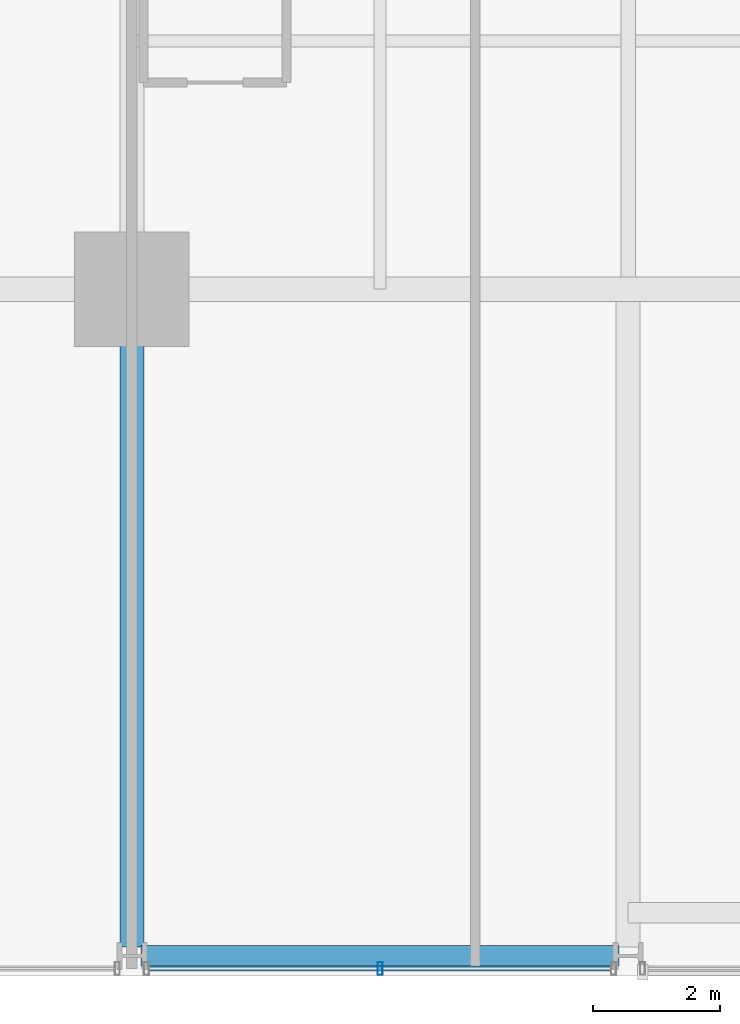
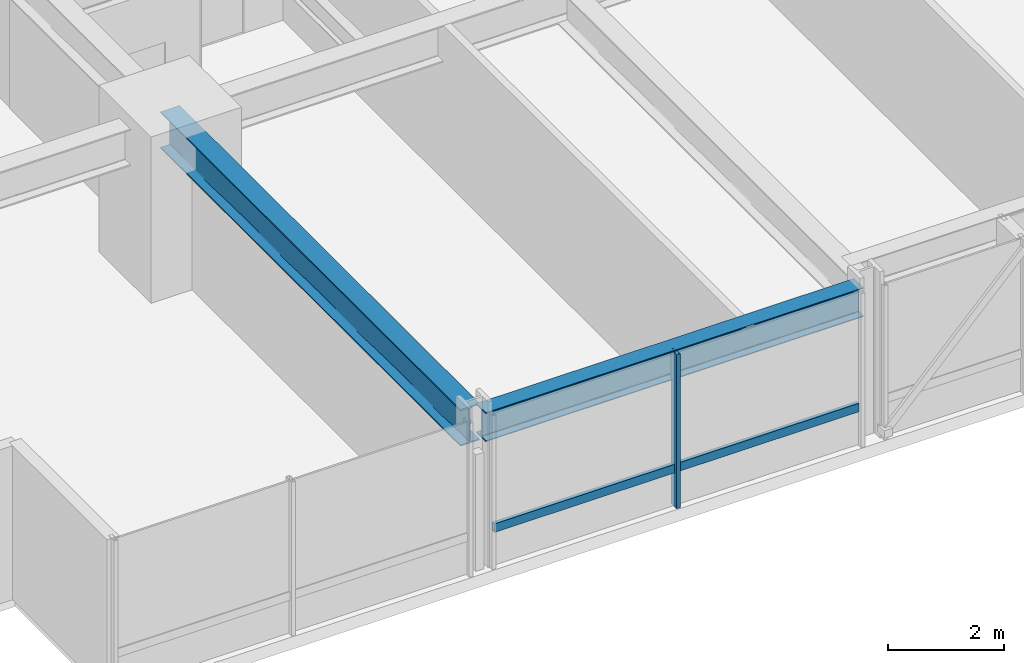
# One storey, part 3 of 38: 2 beams, 2 members, 1 element without a shape of its own.
"""IFC4 building model written with IfcOpenShell, lengths in metres."""

from ifc_helpers import new_model, si_unit, direction, frame, origin, origin_2d, place, context, subcontext, project, spatial, hollow_rectangle, i_section, extrude, material, layer, layer_set, material_profile, profile_set, type_object, element, aggregate, save


model = new_model("IFC4")

# Units and contexts
model_context = context("Model", 3, precision=1e-05, world=origin(), true_north=direction((0.0, 1.0)))
body_context = subcontext(model_context, "Body", "Model", "MODEL_VIEW")
ifc_project = project(units=[si_unit("LENGTHUNIT", "METRE"), si_unit("AREAUNIT", "SQUARE_METRE"), si_unit("VOLUMEUNIT", "CUBIC_METRE"), si_unit("PLANEANGLEUNIT", "RADIAN"), si_unit("MASSUNIT", "GRAM", prefix="KILO")], contexts=[model_context])

# Site, building, storey
site_placement = place(None, origin())
site = spatial("IfcSite", under=ifc_project, at=site_placement, CompositionType="ELEMENT")
building_placement = place(site_placement, origin())
building = spatial("IfcBuilding", under=site, at=building_placement, Name="Drelvath Grand Hotel", CompositionType="ELEMENT")
storey_placement = place(building_placement, frame((0.0, 0.0, 61.199951171875)))
storey = spatial("IfcBuildingStorey", under=building, at=storey_placement, Name="L14", CompositionType="ELEMENT", Elevation=61.199951171875)

# Curtain wall, members
ifc_material_1 = material(Name="Warm Bronze Anodised Aluminium Frame", Category="aluminium")
ifc_layer = layer(ifc_material_1, 0.199951171875)
ifc_layer_set = layer_set([ifc_layer], Name="Warm Bronze Anodised Aluminium Frame")
curtain_wall_type = type_object("IfcCurtainWallType", Name="Stick Curtain Wall CW-02 Warm Bronze Low-Rise", PredefinedType="NOTDEFINED", material=ifc_layer_set)
curtain_wall_placement = place(storey_placement, origin())
curtain_wall = element("IfcCurtainWall", 1, at=curtain_wall_placement, inside=storey, type_object=curtain_wall_type, Name="L14 CW-02 Curtain Wall CW02-L14-SW2", PredefinedType="NOTDEFINED")
ifc_material_profile_1 = material_profile(ifc_material_1, hollow_rectangle(XDim=0.074951171875, YDim=0.179931640625, WallThickness=0.0048828125, at=origin_2d()), Name="HSS180X75X5")
ifc_profile_set_1 = profile_set([ifc_material_profile_1], Name="Warm Bronze Anodised Aluminium Frame")
member_type_1 = type_object("IfcMemberType", Name="Curtain Wall Horizontal Transom CW-02 HSS180X75X5", PredefinedType="USERDEFINED", material=ifc_profile_set_1)
member_1_placement = place(storey_placement, frame((-8.669189453125, 0.1201171875, 0.81005859375), z_axis=(-1.0, 0.0, 0.0), x_axis=(0.0, -1.0, 0.0)))
member_1 = element("IfcMember", 2, at=member_1_placement, type_object=member_type_1, Name="CW02-L14-SW2 Sill Transom", ObjectType="TRANSOM", PredefinedType="USERDEFINED", context=body_context, shape_type="SweptSolid", body=[
    extrude(hollow_rectangle(XDim=0.074951171875, YDim=0.179931640625, WallThickness=0.0048828125, at=origin_2d()), origin(), (0.0, 0.0, 1.0), 7.26171875),
])
ifc_material_profile_2 = material_profile(ifc_material_1, hollow_rectangle(XDim=0.080078125, YDim=0.199951171875, WallThickness=0.0048828125, at=origin_2d()), Name="HSS200X80X5")
ifc_profile_set_2 = profile_set([ifc_material_profile_2], Name="Warm Bronze Anodised Aluminium Frame")
member_type_2 = type_object("IfcMemberType", Name="Curtain Wall Vertical Mullion CW-02 HSS200X80X5", PredefinedType="MULLION", material=ifc_profile_set_2)
member_2_placement = place(storey_placement, frame((-12.300048828125, 0.1201171875, 0.0), z_axis=(0.0, 0.0, 1.0), x_axis=(1.0, 0.0, 0.0)))
member_2 = element("IfcMember", 3, at=member_2_placement, type_object=member_type_2, Name="CW02-L14-SW2 Mullion 2", PredefinedType="MULLION", context=body_context, shape_type="SweptSolid", body=[
    extrude(hollow_rectangle(XDim=0.080078125, YDim=0.199951171875, WallThickness=0.0048828125, at=origin_2d()), origin(), (0.0, 0.0, 1.0), 3.239990234375),
])
aggregate(curtain_wall, [member_2, member_1])

# Beams
ifc_material_2 = material(Name="Steel ASTM A992 Gr 50", Category="steel")
ifc_material_profile_3 = material_profile(ifc_material_2, i_section(OverallWidth=0.323974609375, OverallDepth=0.611083984375, WebThickness=0.0126953125, FlangeThickness=0.01904296875, FilletRadius=0.02197265625, at=origin_2d()), Name="W24X104")
ifc_profile_set_3 = profile_set([ifc_material_profile_3], Name="Steel ASTM A992 Gr 50")
beam_type_1 = type_object("IfcBeamType", Name="Perimeter Spandrel Beam W24X104", PredefinedType="SPANDREL", material=ifc_profile_set_3)
beam_1_placement = place(storey_placement, frame((-16.06005859375, 0.320068359375, 2.9345703125), z_axis=(1.0, 0.0, 0.0), x_axis=(0.0, 1.0, 0.0)))
element("IfcBeam", 4, at=beam_1_placement, inside=storey, type_object=beam_type_1, Name="L14 Spandrel South W", PredefinedType="SPANDREL", context=body_context, shape_type="SweptSolid", body=[
    extrude(i_section(OverallWidth=0.323974609375, OverallDepth=0.611083984375, WebThickness=0.0126953125, FlangeThickness=0.01904296875, FilletRadius=0.02197265625, at=origin_2d()), origin(), (0.0, 0.0, 1.0), 7.52001953125),
])
ifc_material_profile_4 = material_profile(ifc_material_2, i_section(OverallWidth=0.380615234375, OverallDepth=0.773193359375, WebThickness=0.0166015625, FlangeThickness=0.027099609375, FilletRadius=0.02490234375, at=origin_2d()), Name="W30X173")
ifc_profile_set_4 = profile_set([ifc_material_profile_4], Name="Steel ASTM A992 Gr 50")
beam_type_2 = type_object("IfcBeamType", Name="Primary Floor Girder W30X173", PredefinedType="BEAM", material=ifc_profile_set_4)
beam_2_placement = place(storey_placement, frame((-16.199951171875, 0.4599609375, 2.853515625), z_axis=(0.0, 1.0, 0.0), x_axis=(-1.0, 0.0, 0.0)))
element("IfcBeam", 5, at=beam_2_placement, inside=storey, type_object=beam_type_2, Name="L14 South Grid Girder 3", PredefinedType="BEAM", context=body_context, shape_type="SweptSolid", body=[
    extrude(i_section(OverallWidth=0.380615234375, OverallDepth=0.773193359375, WebThickness=0.0166015625, FlangeThickness=0.027099609375, FilletRadius=0.02490234375, at=origin_2d()), origin(), (0.0, 0.0, 1.0), 10.340087890625),
])

save(model, "model.ifc")
